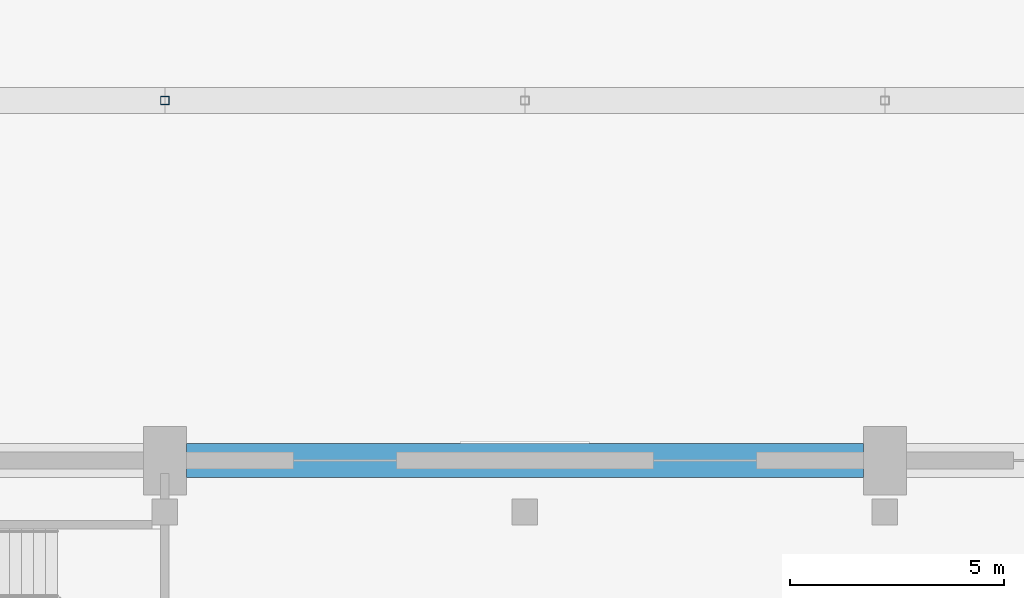
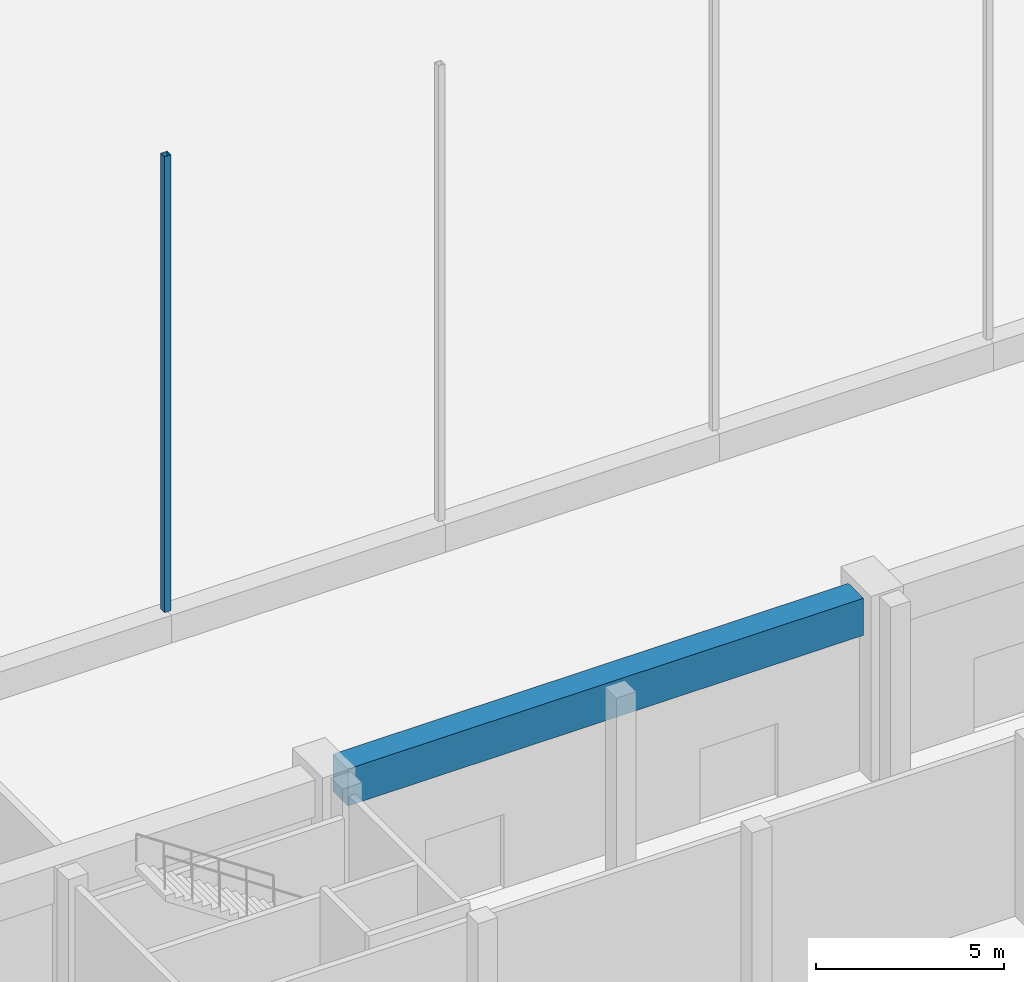
# One storey, part 33 of 210: 1 beam, 1 member.
"""IFC4 building model written with IfcOpenShell, lengths in metres."""

import ifcopenshell
import ifcopenshell.guid

model = None  # the IFC model being written
_history = None  # IfcOwnerHistory: only IFC2X3 demands one
_inside = {}  # id of a spatial element -> (the spatial element, [elements in it])
_under = {}  # id of a project, library or spatial element -> (it, [spatial elements below it])
_declared = {}  # id of a project -> (the project, [libraries it declares])
_typed = {}  # id of a type object -> (the type object, [elements of that type])
_made_of = {}  # id of a material, layer set ... -> (it, [elements and type objects made of it])


def new_model(schema):
    """Start an empty IFC model of exactly this schema.

    Asked for "IFC4X3", IfcOpenShell would pick the latest addendum, in which some entities
    have other attributes; the version numbers below select the first issue.
    IFC2X3 requires an IfcOwnerHistory on every rooted entity: one is made here for all.
    """
    global model, _history
    if schema == "IFC4X3":
        model = ifcopenshell.file(schema_version=(4, 3, 0, 0))
    else:
        model = ifcopenshell.file(schema=schema)
    _inside.clear()
    _under.clear()
    _declared.clear()
    _typed.clear()
    _made_of.clear()
    _history = None
    if model.schema == "IFC2X3":
        org = make("IfcOrganization", Name="unknown")
        user = make(
            "IfcPersonAndOrganization",
            ThePerson=make("IfcPerson", FamilyName="unknown"),
            TheOrganization=org,
        )
        app = make(
            "IfcApplication",
            ApplicationDeveloper=org,
            Version="unknown",
            ApplicationFullName="unknown",
            ApplicationIdentifier="unknown",
        )
        _history = make(
            "IfcOwnerHistory",
            OwningUser=user,
            OwningApplication=app,
            ChangeAction="ADDED",
            CreationDate=0,
        )
    return model


def make(cls, **values):
    """One entity of the class cls with the attributes given. An attribute that is None is left unset."""
    return model.create_entity(
        cls, **{name: value for name, value in values.items() if value is not None}
    )


def rooted(cls, **values):
    """An entity with a GlobalId (a new one), such as an element, a storey or a relation."""
    return make(cls, GlobalId=ifcopenshell.guid.new(), OwnerHistory=_history, **values)


def si_unit(unit_type, name, prefix=None):
    """IfcSIUnit, for example si_unit("LENGTHUNIT", "METRE", prefix="MILLI")."""
    return make("IfcSIUnit", UnitType=unit_type, Prefix=prefix, Name=name)


def assignment(units):
    """IfcUnitAssignment: the units of a project."""
    return None if units is None else make("IfcUnitAssignment", Units=units)


def point(xyz):
    """IfcCartesianPoint."""
    return None if xyz is None else make("IfcCartesianPoint", Coordinates=xyz)


def direction(xyz):
    """IfcDirection."""
    return None if xyz is None else make("IfcDirection", DirectionRatios=xyz)


def frame(location, z_axis=None, x_axis=None):
    """IfcAxis2Placement3D, a coordinate frame: its origin and axes. An axis left out is left unset."""
    return make(
        "IfcAxis2Placement3D",
        Location=point(location),
        Axis=direction(z_axis),
        RefDirection=direction(x_axis),
    )


def frame_2d(location, x_axis=None):
    """IfcAxis2Placement2D, a coordinate frame in the plane: its origin and x axis."""
    return make(
        "IfcAxis2Placement2D", Location=point(location), RefDirection=direction(x_axis)
    )


def origin():
    """The frame at (0, 0, 0) with its axes left unset."""
    return frame((0.0, 0.0, 0.0))


def origin_2d():
    """The frame at (0, 0) in the plane with its x axis left unset."""
    return frame_2d((0.0, 0.0))


def place(relative_to, where):
    """IfcLocalPlacement: puts the frame where relative to a parent placement (None: the world)."""
    return make(
        "IfcLocalPlacement", PlacementRelTo=relative_to, RelativePlacement=where
    )


def context(
    kind, dimensions, precision=None, world=None, true_north=None, identifier=None
):
    """IfcGeometricRepresentationContext, for example the 3D "Model" context."""
    return make(
        "IfcGeometricRepresentationContext",
        ContextIdentifier=identifier,
        ContextType=kind,
        CoordinateSpaceDimension=dimensions,
        Precision=precision,
        WorldCoordinateSystem=world,
        TrueNorth=true_north,
    )


def subcontext(parent, identifier, kind, view, scale=None):
    """IfcGeometricRepresentationSubContext, for example "Body" below "Model"."""
    return make(
        "IfcGeometricRepresentationSubContext",
        ContextIdentifier=identifier,
        ContextType=kind,
        ParentContext=parent,
        TargetScale=scale,
        TargetView=view,
    )


def project(units=None, contexts=None):
    """IfcProject with its units and contexts."""
    return rooted(
        "IfcProject",
        Name="project",
        RepresentationContexts=contexts,
        UnitsInContext=assignment(units),
    )


def spatial(cls, under=None, at=None, **own):
    """A site, building, storey or space (cls), placed at a placement, below another one or the project."""
    s = rooted(cls, ObjectPlacement=at, **own)
    if under is not None:
        _under.setdefault(under.id(), (under, []))[1].append(s)
    return s


def profile(cls, at=None, kind="AREA", **sizes):
    """A parametric profile (cls). Its sizes go by their IFC names, for example OverallWidth=200.0."""
    return make(cls, ProfileType=kind, Position=at, **sizes)


def rectangle(**sizes):
    """IfcRectangleProfileDef."""
    return profile("IfcRectangleProfileDef", **sizes)


def hollow_rectangle(**sizes):
    """IfcRectangleHollowProfileDef."""
    return profile("IfcRectangleHollowProfileDef", **sizes)


def extrude(swept, where, along, depth):
    """IfcExtrudedAreaSolid: the profile swept, set in the frame where, extruded along a direction by depth."""
    return make(
        "IfcExtrudedAreaSolid",
        SweptArea=swept,
        Position=where,
        ExtrudedDirection=direction(along),
        Depth=depth,
    )


def shape(context_of_items, identifier, shape_type, items):
    """IfcShapeRepresentation: the items that make up one representation, for example the "Body"."""
    return make(
        "IfcShapeRepresentation",
        ContextOfItems=context_of_items,
        RepresentationIdentifier=identifier,
        RepresentationType=shape_type,
        Items=items,
    )


def material(Name=None, Category=None):
    """IfcMaterial."""
    return make("IfcMaterial", Name=Name, Category=Category)


def material_profile(
    of_material, cross_section, Name=None, Category=None, Priority=None
):
    """IfcMaterialProfile: a cross section and its material."""
    return make(
        "IfcMaterialProfile",
        Name=Name,
        Material=of_material,
        Profile=cross_section,
        Priority=Priority,
        Category=Category,
    )


def profile_set(profiles, Name=None, composite=None):
    """IfcMaterialProfileSet."""
    return make(
        "IfcMaterialProfileSet",
        Name=Name,
        MaterialProfiles=profiles,
        CompositeProfile=composite,
    )


def made_of(thing, what):
    """Note that an element or type object is made of a material, layer set ...; save() writes the relation."""
    if what is not None:
        _made_of.setdefault(what.id(), (what, []))[1].append(thing)
    return thing


def type_object(cls, material=None, **own):
    """A type object (cls), such as IfcWallType, which elements share."""
    return made_of(rooted(cls, **own), material)


def element(
    cls,
    number,
    at=None,
    inside=None,
    cuts=None,
    type_object=None,
    material=None,
    context=None,
    identifier="Body",
    shape_type=None,
    held_by="IfcProductDefinitionShape",
    body=None,
    shapes=None,
    **own,
):
    """One element of the class cls, such as IfcWall. Its Tag is "e" and its number.

    at: its placement. inside: the storey or other place that contains it. cuts: it is an
    opening in that element (IfcRelVoidsElement). A single representation is given by context,
    identifier, shape_type and body (its items); several are given by shapes. held_by: the class
    of the entity that holds the representations. save() writes the other relations.
    """
    e = rooted(cls, Tag="e%d" % number, ObjectPlacement=at, **own)
    if body is not None:
        shapes = [shape(context, identifier, shape_type, body)]
    if shapes is not None:
        e.Representation = make(held_by, Representations=shapes)
    if inside is not None:
        _inside.setdefault(inside.id(), (inside, []))[1].append(e)
    if cuts is not None:
        rooted(
            "IfcRelVoidsElement", RelatingBuildingElement=cuts, RelatedOpeningElement=e
        )
    if type_object is not None:
        _typed.setdefault(type_object.id(), (type_object, []))[1].append(e)
    return made_of(e, material)


def aggregate(whole, parts):
    """IfcRelAggregates: a whole, such as a stair, and the parts it consists of."""
    return rooted("IfcRelAggregates", RelatingObject=whole, RelatedObjects=parts)


def save(model, path):
    """Write the relations noted so far, then the file.

    IfcRelAggregates (storeys below a building ...), IfcRelContainedInSpatialStructure (elements
    in a storey), IfcRelDefinesByType, IfcRelAssociatesMaterial and IfcRelDeclares: one each for
    every whole, place, type object, material and project.
    """
    for whole, parts in _under.values():
        aggregate(whole, parts)
    for where, things in _inside.values():
        rooted(
            "IfcRelContainedInSpatialStructure",
            RelatedElements=things,
            RelatingStructure=where,
        )
    for kind, things in _typed.values():
        rooted("IfcRelDefinesByType", RelatedObjects=things, RelatingType=kind)
    for what, things in _made_of.values():
        rooted("IfcRelAssociatesMaterial", RelatedObjects=things, RelatingMaterial=what)
    for by, libraries in _declared.values():
        rooted("IfcRelDeclares", RelatingContext=by, RelatedDefinitions=libraries)
    model.write(path)


model = new_model("IFC4")

# Units and contexts
model_context = context("Model", 3, precision=1e-05, world=origin(), true_north=direction((0.0, 1.0)))
body_context = subcontext(model_context, "Body", "Model", "MODEL_VIEW")
ifc_project = project(units=[si_unit("LENGTHUNIT", "METRE"), si_unit("AREAUNIT", "SQUARE_METRE"), si_unit("VOLUMEUNIT", "CUBIC_METRE"), si_unit("PLANEANGLEUNIT", "RADIAN"), si_unit("MASSUNIT", "GRAM", prefix="KILO")], contexts=[model_context])

# Site, building, storey
site_placement = place(None, origin())
site = spatial("IfcSite", under=ifc_project, at=site_placement, CompositionType="ELEMENT")
building_placement = place(site_placement, origin())
building = spatial("IfcBuilding", under=site, at=building_placement, Name="Rain Tree Exposition and Congress Centre", CompositionType="ELEMENT")
storey_placement = place(building_placement, origin())
storey = spatial("IfcBuildingStorey", under=building, at=storey_placement, Name="L00", CompositionType="ELEMENT", Elevation=0.0)

# Beam
ifc_material_1 = material(Name="Precast concrete C50/60", Category="concrete")
ifc_material_profile_1 = material_profile(ifc_material_1, rectangle(XDim=0.800048828125, YDim=1.199951171875, at=origin_2d()), Name="RC 800x1200")
ifc_profile_set_1 = profile_set([ifc_material_profile_1], Name="Precast concrete C50/60")
beam_type = type_object("IfcBeamType", Name="Precast beam 800x1200", PredefinedType="BEAM", material=ifc_profile_set_1)
beam_placement = place(storey_placement, frame((25.699951171875, 100.800048828125, 5.10009765625), z_axis=(1.0, 0.0, 0.0), x_axis=(0.0, 1.0, 0.0)))
element("IfcBeam", 1, at=beam_placement, inside=storey, type_object=beam_type, Name="Gallery perimeter beam 2", PredefinedType="BEAM", context=body_context, shape_type="SweptSolid", body=[
    extrude(rectangle(XDim=0.800048828125, YDim=1.199951171875, at=origin_2d()), origin(), (0.0, 0.0, 1.0), 15.800048828125),
])

# Member
ifc_material_2 = material(Name="Steel S355J2H", Category="steel")
ifc_material_profile_2 = material_profile(ifc_material_2, hollow_rectangle(XDim=0.199951171875, YDim=0.199951171875, WallThickness=0.009033203125, at=origin_2d()), Name="RHS 200x200x9")
ifc_profile_set_2 = profile_set([ifc_material_profile_2], Name="Steel S355J2H")
member_type = type_object("IfcMemberType", Name="Steel member member RHS 200x200x9", PredefinedType="MEMBER", material=ifc_profile_set_2)
member_placement = place(storey_placement, frame((25.199951171875, 109.199951171875, 5.699951171875), z_axis=(0.0, 0.0, 1.0), x_axis=(1.0, 0.0, 0.0)))
element("IfcMember", 2, at=member_placement, inside=storey, type_object=member_type, Name="Gallery hanger 13", PredefinedType="MEMBER", context=body_context, shape_type="SweptSolid", body=[
    extrude(hollow_rectangle(XDim=0.199951171875, YDim=0.199951171875, WallThickness=0.009033203125, at=origin_2d()), origin(), (0.0, 0.0, 1.0), 14.766845703125),
])

save(model, "model.ifc")
